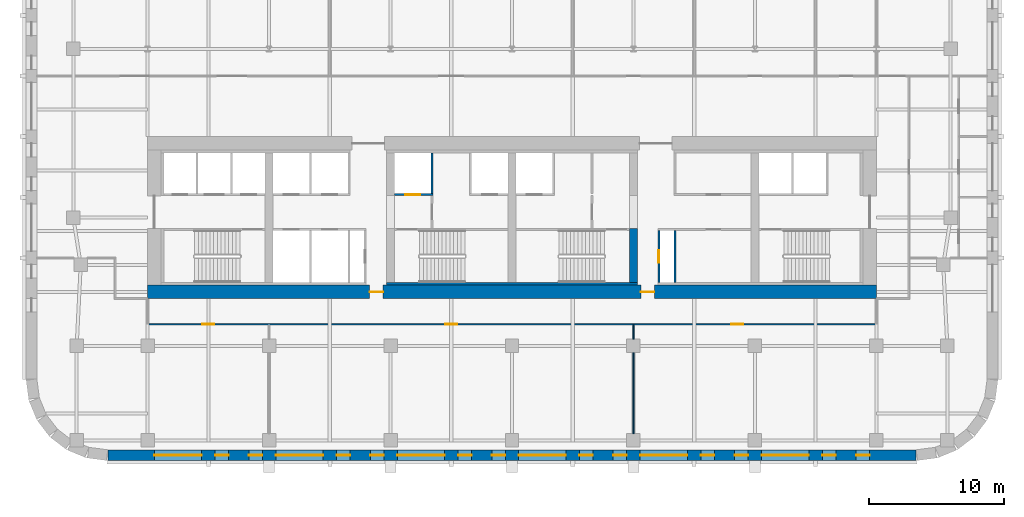
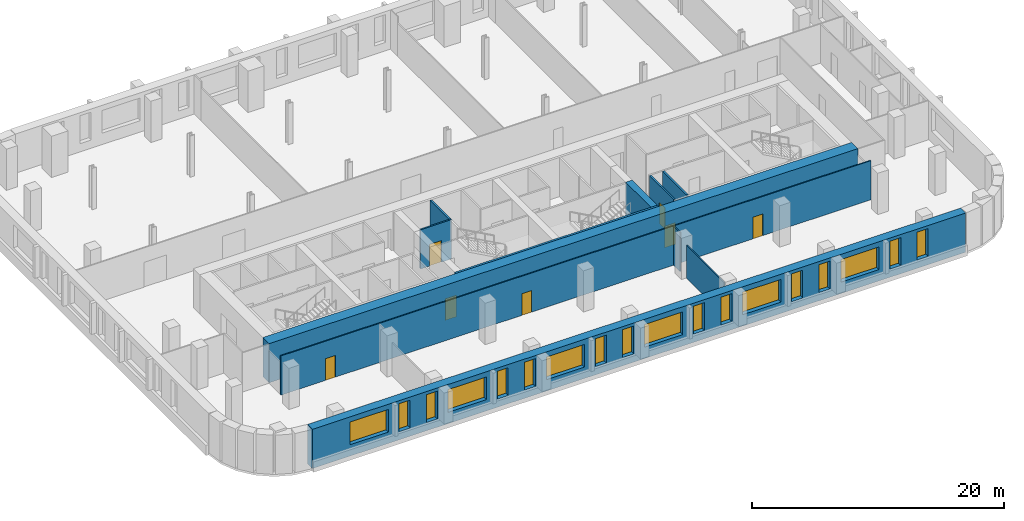
# One storey, part 4 of 9: 18 windows, 11 walls, 7 doors, 25 openings.
"""IFC4 building model written with IfcOpenShell, lengths in metres."""

from ifc_helpers import new_model, si_unit, direction, frame, frame_2d, origin, place, context, subcontext, project, spatial, rectangle, extrude, material, layer, layer_set, type_object, element, fill, save


model = new_model("IFC4")

# Units and contexts
model_context = context("Model", 3, precision=1e-05, world=origin(), true_north=direction((0.0, 1.0)))
body_context = subcontext(model_context, "Body", "Model", "MODEL_VIEW")
ifc_project = project(units=[si_unit("LENGTHUNIT", "METRE"), si_unit("AREAUNIT", "SQUARE_METRE"), si_unit("VOLUMEUNIT", "CUBIC_METRE"), si_unit("PLANEANGLEUNIT", "RADIAN"), si_unit("MASSUNIT", "GRAM", prefix="KILO")], contexts=[model_context])

# Site, building, storey
site_placement = place(None, origin())
site = spatial("IfcSite", under=ifc_project, at=site_placement, CompositionType="ELEMENT")
building_placement = place(site_placement, origin())
building = spatial("IfcBuilding", under=site, at=building_placement, Name="Zellij Exchange Tower", CompositionType="ELEMENT")
storey_placement = place(building_placement, frame((0.0, 0.0, 148.5)))
storey = spatial("IfcBuildingStorey", under=building, at=storey_placement, Name="L33", CompositionType="ELEMENT", Elevation=148.5)

# Walls
ifc_material_1 = material(Name="Concrete C70/85", Category="concrete")
ifc_layer_1 = layer(ifc_material_1, 0.60009765625)
ifc_layer_set_1 = layer_set([ifc_layer_1], Name="Concrete C70/85")
wall_type_1 = type_object("IfcWallType", Name="CORE-CW 600 C70/85", PredefinedType="SHEAR", material=ifc_layer_set_1)
wall_1_placement = place(storey_placement, frame((9.0, -12.800048828125, 0.0), z_axis=(0.0, 0.0, 1.0), x_axis=(0.0, 1.0, 0.0)))
element("IfcWall", 1, at=wall_1_placement, inside=storey, type_object=wall_type_1, Name="Core cross wall pier x 9 a L33", PredefinedType="SHEAR", context=body_context, shape_type="SweptSolid", body=[
    extrude(rectangle(XDim=4.0, YDim=0.60009765625, at=frame_2d((2.0, 0.0))), origin(), (0.0, 0.0, 1.0), 3.800048828125),
])
ifc_material_2 = material(Name="Concrete C30/37", Category="concrete")
ifc_layer_2 = layer(ifc_material_2, 0.199951171875)
ifc_layer_set_2 = layer_set([ifc_layer_2], Name="Concrete C30/37")
wall_type_2 = type_object("IfcWallType", Name="CORE-LW 200 C30/37", PredefinedType="SHEAR", material=ifc_layer_set_2)
wall_2_placement = place(storey_placement, frame((-9.300048828125, -12.89990234375, 0.0), z_axis=(0.0, 0.0, 1.0), x_axis=(1.0, 0.0, 0.0)))
element("IfcWall", 2, at=wall_2_placement, inside=storey, type_object=wall_type_2, Name="Core wall lining rear.1 L33", PredefinedType="SHEAR", context=body_context, shape_type="SweptSolid", body=[
    extrude(rectangle(XDim=18.60009765625, YDim=0.199951171875, at=frame_2d((9.300048828125, 0.0))), origin(), (0.0, 0.0, 1.0), 3.800048828125),
])

# Wall, opening, door
ifc_material_3 = material(Name="Gypsum board partition")
ifc_layer_3 = layer(ifc_material_3, 0.14990234375)
ifc_layer_set_3 = layer_set([ifc_layer_3], Name="Gypsum board partition")
wall_type_3 = type_object("IfcWallType", Name="CORE-PW 150 Lift lobby wall", PredefinedType="PARTITIONING", material=ifc_layer_set_3)
wall_3_placement = place(storey_placement, frame((10.875, -12.800048828125, 0.0), z_axis=(0.0, 0.0, 1.0), x_axis=(0.0, 1.0, 0.0)))
wall_3 = element("IfcWall", 3, at=wall_3_placement, inside=storey, type_object=wall_type_3, Name="Lift lobby wall L33", PredefinedType="PARTITIONING", context=body_context, shape_type="SweptSolid", body=[
    extrude(rectangle(XDim=3.85009765625, YDim=0.14990234375, at=frame_2d((1.925048828125, 0.0))), origin(), (0.0, 0.0, 1.0), 3.800048828125),
])
opening_1_placement = place(wall_3_placement, frame((1.47509765625, 0.0, 0.0)))
opening_1 = element("IfcOpeningElement", 4, at=opening_1_placement, cuts=wall_3, Name="Opening CA-17.22", PredefinedType="OPENING", context=body_context, shape_type="SweptSolid", body=[
    extrude(rectangle(XDim=0.89990234375, YDim=2.10009765625, at=frame_2d((0.449951171875, 1.050048828125))), frame((0.0, 0.0869140625, 0.0), z_axis=(0.0, -1.0, 0.0), x_axis=(1.0, 0.0, 0.0)), (0.0, 0.0, 1.0), 0.173828125),
])
ifc_material_4 = material(Name="Hollow metal fire door")
door_type_1 = type_object("IfcDoorType", Name="CORE-D RD Riser door 900x2100 1.5 HR", OperationType="NOTDEFINED", PredefinedType="DOOR", material=ifc_material_4)
door_1_placement = place(opening_1_placement, origin())
door_1 = element("IfcDoor", 5, at=door_1_placement, inside=storey, type_object=door_type_1, Name="Riser door CA-17.22", OperationType="SINGLE_SWING_LEFT", OverallHeight=2.10009765625, OverallWidth=0.89990234375, PredefinedType="DOOR", context=body_context, shape_type="SweptSolid", body=[
    extrude(rectangle(XDim=0.89990234375, YDim=2.10009765625, at=frame_2d((0.449951171875, 1.050048828125))), frame((0.0, 0.02490234375, 0.0), z_axis=(0.0, -1.0, 0.0), x_axis=(1.0, 0.0, 0.0)), (0.0, 0.0, 1.0), 0.050048828125),
])
fill(opening_1, door_1)

# Walls
wall_4_placement = place(storey_placement, frame((12.074951171875, -12.800048828125, 0.0), z_axis=(0.0, 0.0, 1.0), x_axis=(0.0, 1.0, 0.0)))
element("IfcWall", 6, at=wall_4_placement, inside=storey, type_object=wall_type_3, Name="Lift lobby wall L33", PredefinedType="PARTITIONING", context=body_context, shape_type="SweptSolid", body=[
    extrude(rectangle(XDim=3.85009765625, YDim=0.14990234375, at=frame_2d((1.925048828125, 0.0))), origin(), (0.0, 0.0, 1.0), 3.800048828125),
])
ifc_material_5 = material(Name="Gypsum shaft wall system")
ifc_layer_4 = layer(ifc_material_5, 0.14990234375)
ifc_layer_set_4 = layer_set([ifc_layer_4], Name="Gypsum shaft wall system")
wall_type_4 = type_object("IfcWallType", Name="CORE-PW 150 Lift shaft wall", PredefinedType="PARTITIONING", material=ifc_layer_set_4)
wall_5_placement = place(storey_placement, frame((-5.925048828125, -6.22509765625, 0.0), z_axis=(0.0, 0.0, 1.0), x_axis=(0.0, 1.0, 0.0)))
element("IfcWall", 7, at=wall_5_placement, inside=storey, type_object=wall_type_4, Name="Lift shaft wall L33", PredefinedType="PARTITIONING", context=body_context, shape_type="SweptSolid", body=[
    extrude(rectangle(XDim=3.025146484375, YDim=0.14990234375, at=frame_2d((1.5126953125, 0.0))), origin(), (0.0, 0.0, 1.0), 3.800048828125),
])

# Wall, opening, door
wall_6_placement = place(storey_placement, frame((-8.699951171875, -6.300048828125, 0.0), z_axis=(0.0, 0.0, 1.0), x_axis=(1.0, 0.0, 0.0)))
wall_6 = element("IfcWall", 8, at=wall_6_placement, inside=storey, type_object=wall_type_4, Name="Lift shaft wall L33", PredefinedType="PARTITIONING", context=body_context, shape_type="SweptSolid", body=[
    extrude(rectangle(XDim=2.849853515625, YDim=0.14990234375, at=frame_2d((1.4248046875, 0.0))), origin(), (0.0, 0.0, 1.0), 3.800048828125),
])
opening_2_placement = place(wall_6_placement, frame((0.800048828125, 0.0, 0.0)))
opening_2 = element("IfcOpeningElement", 9, at=opening_2_placement, cuts=wall_6, Name="Opening CA-17.14", PredefinedType="OPENING", context=body_context, shape_type="SweptSolid", body=[
    extrude(rectangle(XDim=1.10009765625, YDim=2.10009765625, at=frame_2d((0.550048828125, 1.050048828125))), frame((0.0, 0.0869140625, 0.0), z_axis=(0.0, -1.0, 0.0), x_axis=(1.0, 0.0, 0.0)), (0.0, 0.0, 1.0), 0.173828125),
])
door_type_2 = type_object("IfcDoorType", Name="CORE-D LD Lift landing door 1100x2100 1.5 HR", OperationType="NOTDEFINED", PredefinedType="DOOR", material=ifc_material_4)
door_2_placement = place(opening_2_placement, origin())
door_2 = element("IfcDoor", 10, at=door_2_placement, inside=storey, type_object=door_type_2, Name="Lift landing door CA-17.14", OperationType="SLIDING_TO_RIGHT", OverallHeight=2.10009765625, OverallWidth=1.10009765625, PredefinedType="DOOR", context=body_context, shape_type="SweptSolid", body=[
    extrude(rectangle(XDim=1.10009765625, YDim=2.10009765625, at=frame_2d((0.550048828125, 1.050048828125))), frame((0.0, 0.02490234375, 0.0), z_axis=(0.0, -1.0, 0.0), x_axis=(1.0, 0.0, 0.0)), (0.0, 0.0, 1.0), 0.050048828125),
])
fill(opening_2, door_2)

# Wall, openings, doors
ifc_layer_5 = layer(ifc_material_1, 1.0)
ifc_layer_set_5 = layer_set([ifc_layer_5], Name="Concrete C70/85")
wall_type_5 = type_object("IfcWallType", Name="CORE-SW 1000 C70/85", PredefinedType="SHEAR", material=ifc_layer_set_5)
wall_7_placement = place(storey_placement, frame((-27.0, -13.5, 0.0), z_axis=(0.0, 0.0, 1.0), x_axis=(1.0, 0.0, 0.0)))
wall_7 = element("IfcWall", 11, at=wall_7_placement, inside=storey, type_object=wall_type_5, Name="Core shear wall rear L33", PredefinedType="SHEAR", context=body_context, shape_type="SweptSolid", body=[
    extrude(rectangle(XDim=54.0, YDim=1.0, at=frame_2d((27.0, 0.0))), origin(), (0.0, 0.0, 1.0), 3.800048828125),
])
opening_3_placement = place(wall_7_placement, frame((16.449951171875, 0.0, 0.0)))
opening_3 = element("IfcOpeningElement", 12, at=opening_3_placement, cuts=wall_7, Name="Opening CA-17.12", PredefinedType="OPENING", context=body_context, shape_type="SweptSolid", body=[
    extrude(rectangle(XDim=1.0, YDim=2.10009765625, at=frame_2d((0.5, 1.050048828125))), frame((0.0, 0.511962890625, 0.0), z_axis=(0.0, -1.0, 0.0), x_axis=(1.0, 0.0, 0.0)), (0.0, 0.0, 1.0), 1.02392578125),
])
opening_4_placement = place(wall_7_placement, frame((36.550048828125, 0.0, 0.0)))
opening_4 = element("IfcOpeningElement", 13, at=opening_4_placement, cuts=wall_7, Name="Opening CA-17.20", PredefinedType="OPENING", context=body_context, shape_type="SweptSolid", body=[
    extrude(rectangle(XDim=1.0, YDim=2.10009765625, at=frame_2d((0.5, 1.050048828125))), frame((0.0, 0.511962890625, 0.0), z_axis=(0.0, -1.0, 0.0), x_axis=(1.0, 0.0, 0.0)), (0.0, 0.0, 1.0), 1.02392578125),
])
door_type_3 = type_object("IfcDoorType", Name="CORE-D CR Core rear door 1000x2100 20 MIN", OperationType="NOTDEFINED", PredefinedType="DOOR", material=ifc_material_4)
door_3_placement = place(opening_3_placement, origin())
door_3 = element("IfcDoor", 14, at=door_3_placement, inside=storey, type_object=door_type_3, Name="Core rear door CA-17.12", OperationType="SINGLE_SWING_RIGHT", OverallHeight=2.10009765625, OverallWidth=1.0, PredefinedType="DOOR", context=body_context, shape_type="SweptSolid", body=[
    extrude(rectangle(XDim=1.0, YDim=2.10009765625, at=frame_2d((0.5, 1.050048828125))), frame((0.0, 0.02490234375, 0.0), z_axis=(0.0, -1.0, 0.0), x_axis=(1.0, 0.0, 0.0)), (0.0, 0.0, 1.0), 0.050048828125),
])
fill(opening_3, door_3)
door_4_placement = place(opening_4_placement, origin())
door_4 = element("IfcDoor", 15, at=door_4_placement, inside=storey, type_object=door_type_3, Name="Core rear door CA-17.20", OperationType="SINGLE_SWING_LEFT", OverallHeight=2.10009765625, OverallWidth=1.0, PredefinedType="DOOR", context=body_context, shape_type="SweptSolid", body=[
    extrude(rectangle(XDim=1.0, YDim=2.10009765625, at=frame_2d((0.5, 1.050048828125))), frame((0.0, 0.02490234375, 0.0), z_axis=(0.0, -1.0, 0.0), x_axis=(1.0, 0.0, 0.0)), (0.0, 0.0, 1.0), 0.050048828125),
])
fill(opening_4, door_4)

# Wall, openings, windows
ifc_material_6 = material(Name="Precast concrete C40/50", Category="concrete")
ifc_layer_6 = layer(ifc_material_6, 0.800048828125)
ifc_layer_set_6 = layer_set([ifc_layer_6], Name="Precast concrete C40/50")
wall_type_6 = type_object("IfcWallType", Name="ENV-EW1 Precast stone-piered wall 800", PredefinedType="SOLIDWALL", material=ifc_layer_set_6)
wall_8_placement = place(storey_placement, frame((-29.947509765625, -25.60009765625, 0.0), z_axis=(0.0, 0.0, 1.0), x_axis=(1.0, 0.0, 0.0)))
wall_8 = element("IfcWall", 16, at=wall_8_placement, inside=storey, type_object=wall_type_6, Name="fac.L33.00", PredefinedType="SOLIDWALL", context=body_context, shape_type="SweptSolid", body=[
    extrude(rectangle(XDim=59.89501953125, YDim=0.800048828125, at=frame_2d((29.947509765625, 0.0))), origin(), (0.0, 0.0, 1.0), 3.800048828125),
])
opening_5_placement = place(wall_8_placement, frame((3.447509765625, 0.0, 1.10009765625)))
opening_5 = element("IfcOpeningElement", 17, at=opening_5_placement, cuts=wall_8, Name="Opening FZ2.01", PredefinedType="OPENING", context=body_context, shape_type="SweptSolid", body=[
    extrude(rectangle(XDim=3.5, YDim=2.199951171875, at=frame_2d((1.75, 1.10009765625))), frame((0.0, 0.412109375, 0.0), z_axis=(0.0, -1.0, 0.0), x_axis=(1.0, 0.0, 0.0)), (0.0, 0.0, 1.0), 0.823974609375),
])
opening_6_placement = place(wall_8_placement, frame((7.947509765625, 0.0, 0.800048828125)))
opening_6 = element("IfcOpeningElement", 18, at=opening_6_placement, cuts=wall_8, Name="Opening FZ2.02", PredefinedType="OPENING", context=body_context, shape_type="SweptSolid", body=[
    extrude(rectangle(XDim=1.0, YDim=2.699951171875, at=frame_2d((0.5, 1.35009765625))), frame((0.0, 0.412109375, 0.0), z_axis=(0.0, -1.0, 0.0), x_axis=(1.0, 0.0, 0.0)), (0.0, 0.0, 1.0), 0.823974609375),
])
opening_7_placement = place(wall_8_placement, frame((10.447509765625, 0.0, 0.800048828125)))
opening_7 = element("IfcOpeningElement", 19, at=opening_7_placement, cuts=wall_8, Name="Opening FZ2.03", PredefinedType="OPENING", context=body_context, shape_type="SweptSolid", body=[
    extrude(rectangle(XDim=1.0, YDim=2.699951171875, at=frame_2d((0.5, 1.35009765625))), frame((0.0, 0.412109375, 0.0), z_axis=(0.0, -1.0, 0.0), x_axis=(1.0, 0.0, 0.0)), (0.0, 0.0, 1.0), 0.823974609375),
])
opening_8_placement = place(wall_8_placement, frame((12.447509765625, 0.0, 1.10009765625)))
opening_8 = element("IfcOpeningElement", 20, at=opening_8_placement, cuts=wall_8, Name="Opening FZ2.04", PredefinedType="OPENING", context=body_context, shape_type="SweptSolid", body=[
    extrude(rectangle(XDim=3.5, YDim=2.199951171875, at=frame_2d((1.75, 1.10009765625))), frame((0.0, 0.412109375, 0.0), z_axis=(0.0, -1.0, 0.0), x_axis=(1.0, 0.0, 0.0)), (0.0, 0.0, 1.0), 0.823974609375),
])
opening_9_placement = place(wall_8_placement, frame((16.947509765625, 0.0, 0.800048828125)))
opening_9 = element("IfcOpeningElement", 21, at=opening_9_placement, cuts=wall_8, Name="Opening FZ2.05", PredefinedType="OPENING", context=body_context, shape_type="SweptSolid", body=[
    extrude(rectangle(XDim=1.0, YDim=2.699951171875, at=frame_2d((0.5, 1.35009765625))), frame((0.0, 0.412109375, 0.0), z_axis=(0.0, -1.0, 0.0), x_axis=(1.0, 0.0, 0.0)), (0.0, 0.0, 1.0), 0.823974609375),
])
opening_10_placement = place(wall_8_placement, frame((19.447509765625, 0.0, 0.800048828125)))
opening_10 = element("IfcOpeningElement", 22, at=opening_10_placement, cuts=wall_8, Name="Opening FZ2.06", PredefinedType="OPENING", context=body_context, shape_type="SweptSolid", body=[
    extrude(rectangle(XDim=1.0, YDim=2.699951171875, at=frame_2d((0.5, 1.35009765625))), frame((0.0, 0.412109375, 0.0), z_axis=(0.0, -1.0, 0.0), x_axis=(1.0, 0.0, 0.0)), (0.0, 0.0, 1.0), 0.823974609375),
])
opening_11_placement = place(wall_8_placement, frame((21.447509765625, 0.0, 1.10009765625)))
opening_11 = element("IfcOpeningElement", 23, at=opening_11_placement, cuts=wall_8, Name="Opening FZ2.07", PredefinedType="OPENING", context=body_context, shape_type="SweptSolid", body=[
    extrude(rectangle(XDim=3.5, YDim=2.199951171875, at=frame_2d((1.75, 1.10009765625))), frame((0.0, 0.412109375, 0.0), z_axis=(0.0, -1.0, 0.0), x_axis=(1.0, 0.0, 0.0)), (0.0, 0.0, 1.0), 0.823974609375),
])
opening_12_placement = place(wall_8_placement, frame((25.947509765625, 0.0, 0.800048828125)))
opening_12 = element("IfcOpeningElement", 24, at=opening_12_placement, cuts=wall_8, Name="Opening FZ2.08", PredefinedType="OPENING", context=body_context, shape_type="SweptSolid", body=[
    extrude(rectangle(XDim=1.0, YDim=2.699951171875, at=frame_2d((0.5, 1.35009765625))), frame((0.0, 0.412109375, 0.0), z_axis=(0.0, -1.0, 0.0), x_axis=(1.0, 0.0, 0.0)), (0.0, 0.0, 1.0), 0.823974609375),
])
opening_13_placement = place(wall_8_placement, frame((28.447509765625, 0.0, 0.800048828125)))
opening_13 = element("IfcOpeningElement", 25, at=opening_13_placement, cuts=wall_8, Name="Opening FZ2.09", PredefinedType="OPENING", context=body_context, shape_type="SweptSolid", body=[
    extrude(rectangle(XDim=1.0, YDim=2.699951171875, at=frame_2d((0.5, 1.35009765625))), frame((0.0, 0.412109375, 0.0), z_axis=(0.0, -1.0, 0.0), x_axis=(1.0, 0.0, 0.0)), (0.0, 0.0, 1.0), 0.823974609375),
])
opening_14_placement = place(wall_8_placement, frame((30.447509765625, 0.0, 1.10009765625)))
opening_14 = element("IfcOpeningElement", 26, at=opening_14_placement, cuts=wall_8, Name="Opening FZ2.10", PredefinedType="OPENING", context=body_context, shape_type="SweptSolid", body=[
    extrude(rectangle(XDim=3.5, YDim=2.199951171875, at=frame_2d((1.75, 1.10009765625))), frame((0.0, 0.412109375, 0.0), z_axis=(0.0, -1.0, 0.0), x_axis=(1.0, 0.0, 0.0)), (0.0, 0.0, 1.0), 0.823974609375),
])
opening_15_placement = place(wall_8_placement, frame((34.947509765625, 0.0, 0.800048828125)))
opening_15 = element("IfcOpeningElement", 27, at=opening_15_placement, cuts=wall_8, Name="Opening FZ2.11", PredefinedType="OPENING", context=body_context, shape_type="SweptSolid", body=[
    extrude(rectangle(XDim=1.0, YDim=2.699951171875, at=frame_2d((0.5, 1.35009765625))), frame((0.0, 0.412109375, 0.0), z_axis=(0.0, -1.0, 0.0), x_axis=(1.0, 0.0, 0.0)), (0.0, 0.0, 1.0), 0.823974609375),
])
opening_16_placement = place(wall_8_placement, frame((37.447509765625, 0.0, 0.800048828125)))
opening_16 = element("IfcOpeningElement", 28, at=opening_16_placement, cuts=wall_8, Name="Opening FZ2.12", PredefinedType="OPENING", context=body_context, shape_type="SweptSolid", body=[
    extrude(rectangle(XDim=1.0, YDim=2.699951171875, at=frame_2d((0.5, 1.35009765625))), frame((0.0, 0.412109375, 0.0), z_axis=(0.0, -1.0, 0.0), x_axis=(1.0, 0.0, 0.0)), (0.0, 0.0, 1.0), 0.823974609375),
])
opening_17_placement = place(wall_8_placement, frame((39.447509765625, 0.0, 1.10009765625)))
opening_17 = element("IfcOpeningElement", 29, at=opening_17_placement, cuts=wall_8, Name="Opening FZ2.13", PredefinedType="OPENING", context=body_context, shape_type="SweptSolid", body=[
    extrude(rectangle(XDim=3.5, YDim=2.199951171875, at=frame_2d((1.75, 1.10009765625))), frame((0.0, 0.412109375, 0.0), z_axis=(0.0, -1.0, 0.0), x_axis=(1.0, 0.0, 0.0)), (0.0, 0.0, 1.0), 0.823974609375),
])
opening_18_placement = place(wall_8_placement, frame((43.947509765625, 0.0, 0.800048828125)))
opening_18 = element("IfcOpeningElement", 30, at=opening_18_placement, cuts=wall_8, Name="Opening FZ2.14", PredefinedType="OPENING", context=body_context, shape_type="SweptSolid", body=[
    extrude(rectangle(XDim=1.0, YDim=2.699951171875, at=frame_2d((0.5, 1.35009765625))), frame((0.0, 0.412109375, 0.0), z_axis=(0.0, -1.0, 0.0), x_axis=(1.0, 0.0, 0.0)), (0.0, 0.0, 1.0), 0.823974609375),
])
opening_19_placement = place(wall_8_placement, frame((46.447509765625, 0.0, 0.800048828125)))
opening_19 = element("IfcOpeningElement", 31, at=opening_19_placement, cuts=wall_8, Name="Opening FZ2.15", PredefinedType="OPENING", context=body_context, shape_type="SweptSolid", body=[
    extrude(rectangle(XDim=1.0, YDim=2.699951171875, at=frame_2d((0.5, 1.35009765625))), frame((0.0, 0.412109375, 0.0), z_axis=(0.0, -1.0, 0.0), x_axis=(1.0, 0.0, 0.0)), (0.0, 0.0, 1.0), 0.823974609375),
])
opening_20_placement = place(wall_8_placement, frame((48.447509765625, 0.0, 1.10009765625)))
opening_20 = element("IfcOpeningElement", 32, at=opening_20_placement, cuts=wall_8, Name="Opening FZ2.16", PredefinedType="OPENING", context=body_context, shape_type="SweptSolid", body=[
    extrude(rectangle(XDim=3.5, YDim=2.199951171875, at=frame_2d((1.75, 1.10009765625))), frame((0.0, 0.412109375, 0.0), z_axis=(0.0, -1.0, 0.0), x_axis=(1.0, 0.0, 0.0)), (0.0, 0.0, 1.0), 0.823974609375),
])
opening_21_placement = place(wall_8_placement, frame((52.947509765625, 0.0, 0.800048828125)))
opening_21 = element("IfcOpeningElement", 33, at=opening_21_placement, cuts=wall_8, Name="Opening FZ2.17", PredefinedType="OPENING", context=body_context, shape_type="SweptSolid", body=[
    extrude(rectangle(XDim=1.0, YDim=2.699951171875, at=frame_2d((0.5, 1.35009765625))), frame((0.0, 0.412109375, 0.0), z_axis=(0.0, -1.0, 0.0), x_axis=(1.0, 0.0, 0.0)), (0.0, 0.0, 1.0), 0.823974609375),
])
opening_22_placement = place(wall_8_placement, frame((55.447509765625, 0.0, 0.800048828125)))
opening_22 = element("IfcOpeningElement", 34, at=opening_22_placement, cuts=wall_8, Name="Opening FZ2.18", PredefinedType="OPENING", context=body_context, shape_type="SweptSolid", body=[
    extrude(rectangle(XDim=1.0, YDim=2.699951171875, at=frame_2d((0.5, 1.35009765625))), frame((0.0, 0.412109375, 0.0), z_axis=(0.0, -1.0, 0.0), x_axis=(1.0, 0.0, 0.0)), (0.0, 0.0, 1.0), 0.823974609375),
])
ifc_material_7 = material(Name="Aluminium frame with insulating glass", Category="aluminium")
window_type_1 = type_object("IfcWindowType", Name="ENV-W7 Window 3500x2200", PartitioningType="SINGLE_PANEL", PredefinedType="WINDOW", material=ifc_material_7)
window_1_placement = place(opening_5_placement, origin())
window_1 = element("IfcWindow", 35, at=window_1_placement, inside=storey, type_object=window_type_1, Name="Window FZ2.01", OverallHeight=2.199951171875, OverallWidth=3.5, PartitioningType="SINGLE_PANEL", PredefinedType="WINDOW", context=body_context, shape_type="SweptSolid", body=[
    extrude(rectangle(XDim=3.5, YDim=2.199951171875, at=frame_2d((1.75, 1.10009765625))), frame((0.0, 0.030029296875, 0.0), z_axis=(0.0, -1.0, 0.0), x_axis=(1.0, 0.0, 0.0)), (0.0, 0.0, 1.0), 0.06005859375),
])
fill(opening_5, window_1)
window_2_placement = place(opening_8_placement, origin())
window_2 = element("IfcWindow", 36, at=window_2_placement, inside=storey, type_object=window_type_1, Name="Window FZ2.04", OverallHeight=2.199951171875, OverallWidth=3.5, PartitioningType="SINGLE_PANEL", PredefinedType="WINDOW", context=body_context, shape_type="SweptSolid", body=[
    extrude(rectangle(XDim=3.5, YDim=2.199951171875, at=frame_2d((1.75, 1.10009765625))), frame((0.0, 0.030029296875, 0.0), z_axis=(0.0, -1.0, 0.0), x_axis=(1.0, 0.0, 0.0)), (0.0, 0.0, 1.0), 0.06005859375),
])
fill(opening_8, window_2)
window_3_placement = place(opening_11_placement, origin())
window_3 = element("IfcWindow", 37, at=window_3_placement, inside=storey, type_object=window_type_1, Name="Window FZ2.07", OverallHeight=2.199951171875, OverallWidth=3.5, PartitioningType="SINGLE_PANEL", PredefinedType="WINDOW", context=body_context, shape_type="SweptSolid", body=[
    extrude(rectangle(XDim=3.5, YDim=2.199951171875, at=frame_2d((1.75, 1.10009765625))), frame((0.0, 0.030029296875, 0.0), z_axis=(0.0, -1.0, 0.0), x_axis=(1.0, 0.0, 0.0)), (0.0, 0.0, 1.0), 0.06005859375),
])
fill(opening_11, window_3)
window_4_placement = place(opening_14_placement, origin())
window_4 = element("IfcWindow", 38, at=window_4_placement, inside=storey, type_object=window_type_1, Name="Window FZ2.10", OverallHeight=2.199951171875, OverallWidth=3.5, PartitioningType="SINGLE_PANEL", PredefinedType="WINDOW", context=body_context, shape_type="SweptSolid", body=[
    extrude(rectangle(XDim=3.5, YDim=2.199951171875, at=frame_2d((1.75, 1.10009765625))), frame((0.0, 0.030029296875, 0.0), z_axis=(0.0, -1.0, 0.0), x_axis=(1.0, 0.0, 0.0)), (0.0, 0.0, 1.0), 0.06005859375),
])
fill(opening_14, window_4)
window_5_placement = place(opening_17_placement, origin())
window_5 = element("IfcWindow", 39, at=window_5_placement, inside=storey, type_object=window_type_1, Name="Window FZ2.13", OverallHeight=2.199951171875, OverallWidth=3.5, PartitioningType="SINGLE_PANEL", PredefinedType="WINDOW", context=body_context, shape_type="SweptSolid", body=[
    extrude(rectangle(XDim=3.5, YDim=2.199951171875, at=frame_2d((1.75, 1.10009765625))), frame((0.0, 0.030029296875, 0.0), z_axis=(0.0, -1.0, 0.0), x_axis=(1.0, 0.0, 0.0)), (0.0, 0.0, 1.0), 0.06005859375),
])
fill(opening_17, window_5)
window_6_placement = place(opening_20_placement, origin())
window_6 = element("IfcWindow", 40, at=window_6_placement, inside=storey, type_object=window_type_1, Name="Window FZ2.16", OverallHeight=2.199951171875, OverallWidth=3.5, PartitioningType="SINGLE_PANEL", PredefinedType="WINDOW", context=body_context, shape_type="SweptSolid", body=[
    extrude(rectangle(XDim=3.5, YDim=2.199951171875, at=frame_2d((1.75, 1.10009765625))), frame((0.0, 0.030029296875, 0.0), z_axis=(0.0, -1.0, 0.0), x_axis=(1.0, 0.0, 0.0)), (0.0, 0.0, 1.0), 0.06005859375),
])
fill(opening_20, window_6)
window_type_2 = type_object("IfcWindowType", Name="ENV-W8 Window 1000x2700", PartitioningType="SINGLE_PANEL", PredefinedType="WINDOW", material=ifc_material_7)
window_7_placement = place(opening_6_placement, origin())
window_7 = element("IfcWindow", 41, at=window_7_placement, inside=storey, type_object=window_type_2, Name="Window FZ2.02", OverallHeight=2.699951171875, OverallWidth=1.0, PartitioningType="SINGLE_PANEL", PredefinedType="WINDOW", context=body_context, shape_type="SweptSolid", body=[
    extrude(rectangle(XDim=1.0, YDim=2.699951171875, at=frame_2d((0.5, 1.35009765625))), frame((0.0, 0.030029296875, 0.0), z_axis=(0.0, -1.0, 0.0), x_axis=(1.0, 0.0, 0.0)), (0.0, 0.0, 1.0), 0.06005859375),
])
fill(opening_6, window_7)
window_8_placement = place(opening_7_placement, origin())
window_8 = element("IfcWindow", 42, at=window_8_placement, inside=storey, type_object=window_type_2, Name="Window FZ2.03", OverallHeight=2.699951171875, OverallWidth=1.0, PartitioningType="SINGLE_PANEL", PredefinedType="WINDOW", context=body_context, shape_type="SweptSolid", body=[
    extrude(rectangle(XDim=1.0, YDim=2.699951171875, at=frame_2d((0.5, 1.35009765625))), frame((0.0, 0.030029296875, 0.0), z_axis=(0.0, -1.0, 0.0), x_axis=(1.0, 0.0, 0.0)), (0.0, 0.0, 1.0), 0.06005859375),
])
fill(opening_7, window_8)
window_9_placement = place(opening_9_placement, origin())
window_9 = element("IfcWindow", 43, at=window_9_placement, inside=storey, type_object=window_type_2, Name="Window FZ2.05", OverallHeight=2.699951171875, OverallWidth=1.0, PartitioningType="SINGLE_PANEL", PredefinedType="WINDOW", context=body_context, shape_type="SweptSolid", body=[
    extrude(rectangle(XDim=1.0, YDim=2.699951171875, at=frame_2d((0.5, 1.35009765625))), frame((0.0, 0.030029296875, 0.0), z_axis=(0.0, -1.0, 0.0), x_axis=(1.0, 0.0, 0.0)), (0.0, 0.0, 1.0), 0.06005859375),
])
fill(opening_9, window_9)
window_10_placement = place(opening_10_placement, origin())
window_10 = element("IfcWindow", 44, at=window_10_placement, inside=storey, type_object=window_type_2, Name="Window FZ2.06", OverallHeight=2.699951171875, OverallWidth=1.0, PartitioningType="SINGLE_PANEL", PredefinedType="WINDOW", context=body_context, shape_type="SweptSolid", body=[
    extrude(rectangle(XDim=1.0, YDim=2.699951171875, at=frame_2d((0.5, 1.35009765625))), frame((0.0, 0.030029296875, 0.0), z_axis=(0.0, -1.0, 0.0), x_axis=(1.0, 0.0, 0.0)), (0.0, 0.0, 1.0), 0.06005859375),
])
fill(opening_10, window_10)
window_11_placement = place(opening_12_placement, origin())
window_11 = element("IfcWindow", 45, at=window_11_placement, inside=storey, type_object=window_type_2, Name="Window FZ2.08", OverallHeight=2.699951171875, OverallWidth=1.0, PartitioningType="SINGLE_PANEL", PredefinedType="WINDOW", context=body_context, shape_type="SweptSolid", body=[
    extrude(rectangle(XDim=1.0, YDim=2.699951171875, at=frame_2d((0.5, 1.35009765625))), frame((0.0, 0.030029296875, 0.0), z_axis=(0.0, -1.0, 0.0), x_axis=(1.0, 0.0, 0.0)), (0.0, 0.0, 1.0), 0.06005859375),
])
fill(opening_12, window_11)
window_12_placement = place(opening_13_placement, origin())
window_12 = element("IfcWindow", 46, at=window_12_placement, inside=storey, type_object=window_type_2, Name="Window FZ2.09", OverallHeight=2.699951171875, OverallWidth=1.0, PartitioningType="SINGLE_PANEL", PredefinedType="WINDOW", context=body_context, shape_type="SweptSolid", body=[
    extrude(rectangle(XDim=1.0, YDim=2.699951171875, at=frame_2d((0.5, 1.35009765625))), frame((0.0, 0.030029296875, 0.0), z_axis=(0.0, -1.0, 0.0), x_axis=(1.0, 0.0, 0.0)), (0.0, 0.0, 1.0), 0.06005859375),
])
fill(opening_13, window_12)
window_13_placement = place(opening_15_placement, origin())
window_13 = element("IfcWindow", 47, at=window_13_placement, inside=storey, type_object=window_type_2, Name="Window FZ2.11", OverallHeight=2.699951171875, OverallWidth=1.0, PartitioningType="SINGLE_PANEL", PredefinedType="WINDOW", context=body_context, shape_type="SweptSolid", body=[
    extrude(rectangle(XDim=1.0, YDim=2.699951171875, at=frame_2d((0.5, 1.35009765625))), frame((0.0, 0.030029296875, 0.0), z_axis=(0.0, -1.0, 0.0), x_axis=(1.0, 0.0, 0.0)), (0.0, 0.0, 1.0), 0.06005859375),
])
fill(opening_15, window_13)
window_14_placement = place(opening_16_placement, origin())
window_14 = element("IfcWindow", 48, at=window_14_placement, inside=storey, type_object=window_type_2, Name="Window FZ2.12", OverallHeight=2.699951171875, OverallWidth=1.0, PartitioningType="SINGLE_PANEL", PredefinedType="WINDOW", context=body_context, shape_type="SweptSolid", body=[
    extrude(rectangle(XDim=1.0, YDim=2.699951171875, at=frame_2d((0.5, 1.35009765625))), frame((0.0, 0.030029296875, 0.0), z_axis=(0.0, -1.0, 0.0), x_axis=(1.0, 0.0, 0.0)), (0.0, 0.0, 1.0), 0.06005859375),
])
fill(opening_16, window_14)
window_15_placement = place(opening_18_placement, origin())
window_15 = element("IfcWindow", 49, at=window_15_placement, inside=storey, type_object=window_type_2, Name="Window FZ2.14", OverallHeight=2.699951171875, OverallWidth=1.0, PartitioningType="SINGLE_PANEL", PredefinedType="WINDOW", context=body_context, shape_type="SweptSolid", body=[
    extrude(rectangle(XDim=1.0, YDim=2.699951171875, at=frame_2d((0.5, 1.35009765625))), frame((0.0, 0.030029296875, 0.0), z_axis=(0.0, -1.0, 0.0), x_axis=(1.0, 0.0, 0.0)), (0.0, 0.0, 1.0), 0.06005859375),
])
fill(opening_18, window_15)
window_16_placement = place(opening_19_placement, origin())
window_16 = element("IfcWindow", 50, at=window_16_placement, inside=storey, type_object=window_type_2, Name="Window FZ2.15", OverallHeight=2.699951171875, OverallWidth=1.0, PartitioningType="SINGLE_PANEL", PredefinedType="WINDOW", context=body_context, shape_type="SweptSolid", body=[
    extrude(rectangle(XDim=1.0, YDim=2.699951171875, at=frame_2d((0.5, 1.35009765625))), frame((0.0, 0.030029296875, 0.0), z_axis=(0.0, -1.0, 0.0), x_axis=(1.0, 0.0, 0.0)), (0.0, 0.0, 1.0), 0.06005859375),
])
fill(opening_19, window_16)
window_17_placement = place(opening_21_placement, origin())
window_17 = element("IfcWindow", 51, at=window_17_placement, inside=storey, type_object=window_type_2, Name="Window FZ2.17", OverallHeight=2.699951171875, OverallWidth=1.0, PartitioningType="SINGLE_PANEL", PredefinedType="WINDOW", context=body_context, shape_type="SweptSolid", body=[
    extrude(rectangle(XDim=1.0, YDim=2.699951171875, at=frame_2d((0.5, 1.35009765625))), frame((0.0, 0.030029296875, 0.0), z_axis=(0.0, -1.0, 0.0), x_axis=(1.0, 0.0, 0.0)), (0.0, 0.0, 1.0), 0.06005859375),
])
fill(opening_21, window_17)
window_18_placement = place(opening_22_placement, origin())
window_18 = element("IfcWindow", 52, at=window_18_placement, inside=storey, type_object=window_type_2, Name="Window FZ2.18", OverallHeight=2.699951171875, OverallWidth=1.0, PartitioningType="SINGLE_PANEL", PredefinedType="WINDOW", context=body_context, shape_type="SweptSolid", body=[
    extrude(rectangle(XDim=1.0, YDim=2.699951171875, at=frame_2d((0.5, 1.35009765625))), frame((0.0, 0.030029296875, 0.0), z_axis=(0.0, -1.0, 0.0), x_axis=(1.0, 0.0, 0.0)), (0.0, 0.0, 1.0), 0.06005859375),
])
fill(opening_22, window_18)

# Walls
ifc_material_8 = material(Name="Gypsum board partition on steel studs", Category="steel")
ifc_layer_7 = layer(ifc_material_8, 0.10009765625)
ifc_layer_set_7 = layer_set([ifc_layer_7], Name="Gypsum board partition on steel studs")
wall_type_7 = type_object("IfcWallType", Name="FIT-PARTITION-100", PredefinedType="PARTITIONING", material=ifc_layer_set_7)
wall_9_placement = place(storey_placement, frame((9.0, -24.0, 0.0), z_axis=(0.0, 0.0, 1.0), x_axis=(0.0, 1.0, 0.0)))
element("IfcWall", 53, at=wall_9_placement, inside=storey, type_object=wall_type_7, Name="FIT-PARTITION-100 003", PredefinedType="PARTITIONING", context=body_context, shape_type="SweptSolid", body=[
    extrude(rectangle(XDim=6.0, YDim=0.10009765625, at=frame_2d((3.0, 0.0))), origin(), (0.0, 0.0, 1.0), 3.18798828125),
])
wall_10_placement = place(storey_placement, frame((9.0, -17.0, 0.0), z_axis=(0.0, 0.0, 1.0), x_axis=(0.0, 1.0, 0.0)))
element("IfcWall", 54, at=wall_10_placement, inside=storey, type_object=wall_type_7, Name="FIT-PARTITION-100 004", PredefinedType="PARTITIONING", context=body_context, shape_type="SweptSolid", body=[
    extrude(rectangle(XDim=1.050048828125, YDim=0.10009765625, at=frame_2d((0.52490234375, 0.0))), origin(), (0.0, 0.0, 1.0), 3.800048828125),
])

# Wall, openings, doors
wall_11_placement = place(storey_placement, frame((-27.050048828125, -15.89990234375, 0.0), z_axis=(0.0, 0.0, 1.0), x_axis=(1.0, 0.0, 0.0)))
wall_11 = element("IfcWall", 55, at=wall_11_placement, inside=storey, type_object=wall_type_7, Name="FIT-PARTITION-100 005", PredefinedType="PARTITIONING", context=body_context, shape_type="SweptSolid", body=[
    extrude(rectangle(XDim=54.10009765625, YDim=0.10009765625, at=frame_2d((27.050048828125, 0.0))), origin(), (0.0, 0.0, 1.0), 3.800048828125),
])
opening_23_placement = place(wall_11_placement, frame((4.10009765625, 0.0, 0.0)))
opening_23 = element("IfcOpeningElement", 56, at=opening_23_placement, cuts=wall_11, Name="Opening TH.01", PredefinedType="OPENING", context=body_context, shape_type="SweptSolid", body=[
    extrude(rectangle(XDim=0.89990234375, YDim=2.10009765625, at=frame_2d((0.449951171875, 1.050048828125))), frame((0.0, 0.06201171875, 0.0), z_axis=(0.0, -1.0, 0.0), x_axis=(1.0, 0.0, 0.0)), (0.0, 0.0, 1.0), 0.1240234375),
])
opening_24_placement = place(wall_11_placement, frame((22.10009765625, 0.0, 0.0)))
opening_24 = element("IfcOpeningElement", 57, at=opening_24_placement, cuts=wall_11, Name="Opening TH.02", PredefinedType="OPENING", context=body_context, shape_type="SweptSolid", body=[
    extrude(rectangle(XDim=0.89990234375, YDim=2.10009765625, at=frame_2d((0.449951171875, 1.050048828125))), frame((0.0, 0.06201171875, 0.0), z_axis=(0.0, -1.0, 0.0), x_axis=(1.0, 0.0, 0.0)), (0.0, 0.0, 1.0), 0.1240234375),
])
opening_25_placement = place(wall_11_placement, frame((43.300048828125, 0.0, 0.0)))
opening_25 = element("IfcOpeningElement", 58, at=opening_25_placement, cuts=wall_11, Name="Opening TH.03", PredefinedType="OPENING", context=body_context, shape_type="SweptSolid", body=[
    extrude(rectangle(XDim=0.89990234375, YDim=2.10009765625, at=frame_2d((0.449951171875, 1.050048828125))), frame((0.0, 0.06201171875, 0.0), z_axis=(0.0, -1.0, 0.0), x_axis=(1.0, 0.0, 0.0)), (0.0, 0.0, 1.0), 0.1240234375),
])
ifc_material_9 = material(Name="Timber door set", Category="wood")
door_type_4 = type_object("IfcDoorType", Name="FIT-D1-ROOM-900X2100", OperationType="SINGLE_SWING_LEFT", PredefinedType="DOOR", material=ifc_material_9)
door_5_placement = place(opening_23_placement, origin())
door_5 = element("IfcDoor", 59, at=door_5_placement, inside=storey, type_object=door_type_4, Name="Door TH.01", OperationType="SINGLE_SWING_LEFT", OverallHeight=2.10009765625, OverallWidth=0.89990234375, PredefinedType="DOOR", context=body_context, shape_type="SweptSolid", body=[
    extrude(rectangle(XDim=0.89990234375, YDim=2.10009765625, at=frame_2d((0.449951171875, 1.050048828125))), frame((0.0, 0.02490234375, 0.0), z_axis=(0.0, -1.0, 0.0), x_axis=(1.0, 0.0, 0.0)), (0.0, 0.0, 1.0), 0.050048828125),
])
fill(opening_23, door_5)
door_6_placement = place(opening_24_placement, origin())
door_6 = element("IfcDoor", 60, at=door_6_placement, inside=storey, type_object=door_type_4, Name="Door TH.02", OperationType="SINGLE_SWING_LEFT", OverallHeight=2.10009765625, OverallWidth=0.89990234375, PredefinedType="DOOR", context=body_context, shape_type="SweptSolid", body=[
    extrude(rectangle(XDim=0.89990234375, YDim=2.10009765625, at=frame_2d((0.449951171875, 1.050048828125))), frame((0.0, 0.02490234375, 0.0), z_axis=(0.0, -1.0, 0.0), x_axis=(1.0, 0.0, 0.0)), (0.0, 0.0, 1.0), 0.050048828125),
])
fill(opening_24, door_6)
door_7_placement = place(opening_25_placement, origin())
door_7 = element("IfcDoor", 61, at=door_7_placement, inside=storey, type_object=door_type_4, Name="Door TH.03", OperationType="SINGLE_SWING_LEFT", OverallHeight=2.10009765625, OverallWidth=0.89990234375, PredefinedType="DOOR", context=body_context, shape_type="SweptSolid", body=[
    extrude(rectangle(XDim=0.89990234375, YDim=2.10009765625, at=frame_2d((0.449951171875, 1.050048828125))), frame((0.0, 0.02490234375, 0.0), z_axis=(0.0, -1.0, 0.0), x_axis=(1.0, 0.0, 0.0)), (0.0, 0.0, 1.0), 0.050048828125),
])
fill(opening_25, door_7)

save(model, "model.ifc")
